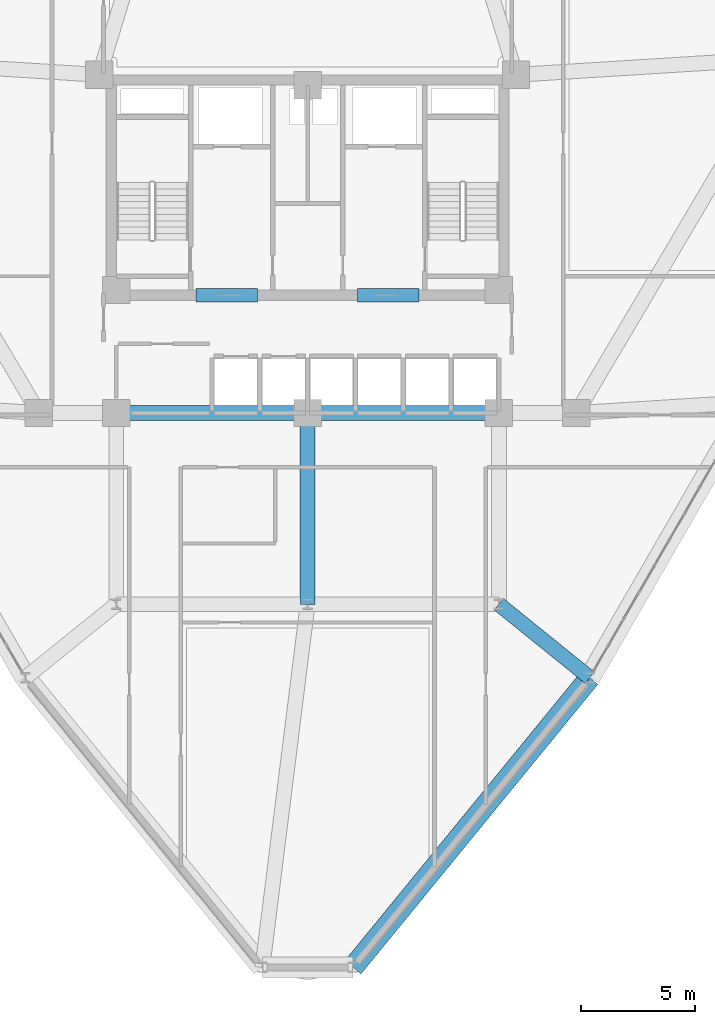
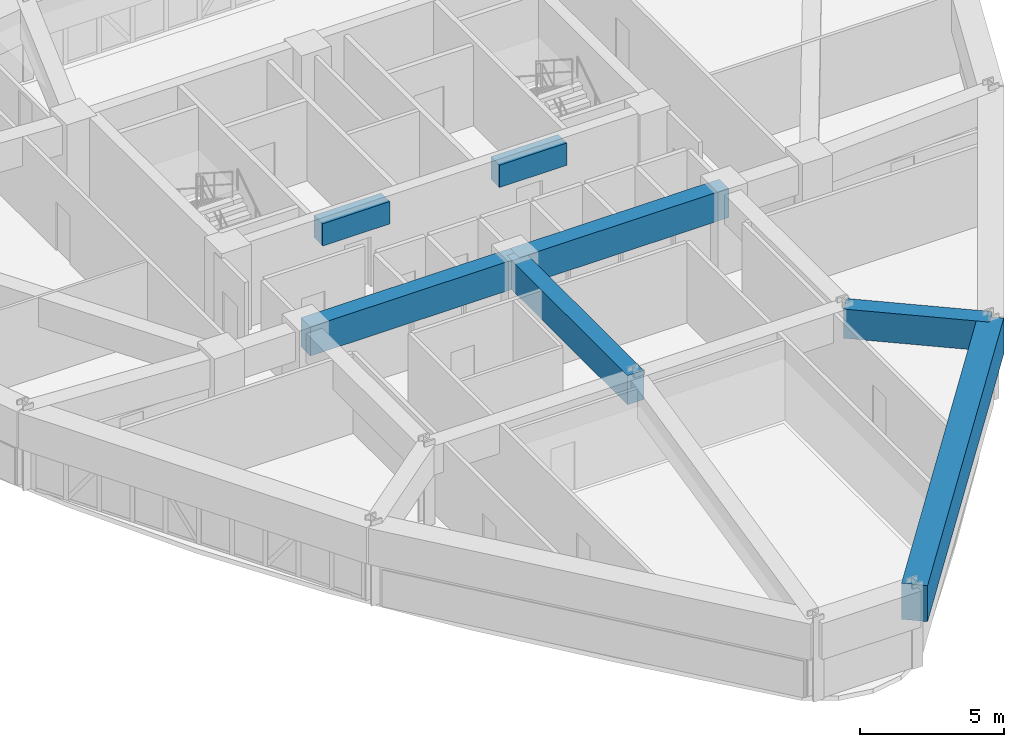
# One storey, part 5 of 15: 7 beams.
"""IFC4 building model written with IfcOpenShell, lengths in metres."""

from ifc_helpers import new_model, si_unit, derived_unit, direction, frame, origin, origin_2d, place, context, subcontext, project, spatial, rectangle, extrude, source, transform, mapped, material, material_profile, profile_set, type_object, element, save


model = new_model("IFC4")

# Units and contexts
model_context = context("Model", 3, precision=1e-05, world=origin(), true_north=direction((0.0, 1.0)))
body_context = subcontext(model_context, "Body", "Model", "MODEL_VIEW")
ifc_project = project(units=[si_unit("LENGTHUNIT", "METRE"), si_unit("AREAUNIT", "SQUARE_METRE"), si_unit("VOLUMEUNIT", "CUBIC_METRE"), si_unit("PLANEANGLEUNIT", "RADIAN"), si_unit("MASSUNIT", "GRAM", prefix="KILO"), derived_unit("THERMALTRANSMITTANCEUNIT", [(si_unit("POWERUNIT", "WATT"), 1), (si_unit("LENGTHUNIT", "METRE"), -2), (si_unit("THERMODYNAMICTEMPERATUREUNIT", "KELVIN"), -1)])], contexts=[model_context])

# Site, building, storey
site_placement = place(None, origin())
site = spatial("IfcSite", under=ifc_project, at=site_placement, CompositionType="ELEMENT")
building_placement = place(site_placement, origin())
building = spatial("IfcBuilding", under=site, at=building_placement, Name="Korsvarv Bourse and Concert Hall", CompositionType="ELEMENT")
storey_placement = place(building_placement, frame((0.0, 0.0, 109.800048828125)))
storey = spatial("IfcBuildingStorey", under=building, at=storey_placement, Name="L27", CompositionType="ELEMENT", Elevation=109.800048828125)

# Beams
ifc_material_1 = material(Name="Concrete C55/67", Category="concrete")
ifc_material_profile_1 = material_profile(ifc_material_1, rectangle(XDim=0.60009765625, YDim=0.949951171875, at=origin_2d()), Name="RC-BM 600x950")
ifc_profile_set_1 = profile_set([ifc_material_profile_1], Name="Concrete C55/67")
beam_type_1 = type_object("IfcBeamType", Name="BM-CPL", PredefinedType="LINTEL", material=ifc_profile_set_1)
shared_shape_1 = source(origin(), body_context, "Body", "SweptSolid", [
    extrude(rectangle(XDim=0.60009765625, YDim=0.949951171875, at=origin_2d()), origin(), (0.0, 0.0, 1.0), 2.699951171875),
])
for number, where, z_axis, x_axis, name in (
    (1, (31.10009765625, 37.574951171875, 2.925048828125), (1.0, 0.0, 0.0), (0.0, 1.0, 0.0), "L27 Core Coupling Beam West"),
    (2, (38.199951171875, 37.574951171875, 2.925048828125), (1.0, 0.0, 0.0), (0.0, 1.0, 0.0), "L27 Core Coupling Beam East"),
):
    element("IfcBeam", number, at=place(storey_placement, frame(where, z_axis=z_axis, x_axis=x_axis)), inside=storey, type_object=beam_type_1, Name=name, PredefinedType="LINTEL", context=body_context, shape_type="MappedRepresentation", body=[
        mapped(shared_shape_1, transform((0.0, 0.0, 0.0), scale=1.0)),
    ])
ifc_material_2 = material(Name="Concrete C50/60", Category="concrete")
ifc_material_profile_2 = material_profile(ifc_material_2, rectangle(XDim=0.64990234375, YDim=1.239990234375, at=origin_2d()), Name="RC-BM 650x1240")
ifc_profile_set_2 = profile_set([ifc_material_profile_2], Name="Concrete C50/60")
beam_type_2 = type_object("IfcBeamType", Name="BM-TR-SPN", PredefinedType="BEAM", material=ifc_profile_set_2)
shared_shape_2 = source(origin(), body_context, "Body", "SweptSolid", [
    extrude(rectangle(XDim=0.64990234375, YDim=1.239990234375, at=origin_2d()), origin(), (0.0, 0.0, 1.0), 8.39990234375),
])
for number, where, z_axis, x_axis, name in (
    (3, (27.60009765625, 32.39990234375, 2.780029296875), (1.0, 0.0, 0.0), (0.0, 1.0, 0.0), "L27 beam B-TRS"),
    (4, (36.0, 32.39990234375, 2.780029296875), (1.0, 0.0, 0.0), (0.0, 1.0, 0.0), "L27 beam B-TRS"),
    (5, (36.0, 24.0, 2.780029296875), (0.0, 1.0, 0.0), (-1.0, 0.0, 0.0), "L27 beam B-TRS"),
):
    element("IfcBeam", number, at=place(storey_placement, frame(where, z_axis=z_axis, x_axis=x_axis)), inside=storey, type_object=beam_type_2, Name=name, PredefinedType="BEAM", context=body_context, shape_type="MappedRepresentation", body=[
        mapped(shared_shape_2, transform((0.0, 0.0, 0.0), scale=1.0)),
    ])
ifc_material_profile_3 = material_profile(ifc_material_2, rectangle(XDim=0.919921875, YDim=1.530029296875, at=origin_2d()), Name="RC-BM 920x1530")
ifc_profile_set_3 = profile_set([ifc_material_profile_3], Name="Concrete C50/60")
beam_type_3 = type_object("IfcBeamType", Name="BM-TR-154", PredefinedType="BEAM", material=ifc_profile_set_3)
shared_shape_3 = source(origin(), body_context, "Body", "SweptSolid", [
    extrude(rectangle(XDim=0.919921875, YDim=1.530029296875, at=origin_2d()), origin(), (0.0, 0.0, 1.0), 16.4345703125),
])
beam_1_placement = place(storey_placement, frame((37.9873046875, 8.054931640625, 2.635009765625), z_axis=(0.633145565553, 0.774032746607, 0.0), x_axis=(-0.774032746607, 0.633145565553, 0.0)))
element("IfcBeam", 6, at=beam_1_placement, inside=storey, type_object=beam_type_3, Name="L27 beam B-TR6", PredefinedType="BEAM", context=body_context, shape_type="MappedRepresentation", body=[
    mapped(shared_shape_3, transform((0.0, 0.0, 0.0), scale=1.0)),
])
shared_shape_4 = source(origin(), body_context, "Body", "SweptSolid", [
    extrude(rectangle(XDim=0.64990234375, YDim=1.239990234375, at=origin_2d()), origin(), (0.0, 0.0, 1.0), 5.132080078125),
])
beam_2_placement = place(storey_placement, frame((48.392822265625, 20.77587890625, 2.780029296875), z_axis=(-0.778029713996, 0.62822747802, 0.0), x_axis=(-0.62822747802, -0.778029713996, 0.0)))
element("IfcBeam", 7, at=beam_2_placement, inside=storey, type_object=beam_type_2, Name="L27 beam B-TRS", PredefinedType="BEAM", context=body_context, shape_type="MappedRepresentation", body=[
    mapped(shared_shape_4, transform((0.0, 0.0, 0.0), scale=1.0)),
])

save(model, "model.ifc")
